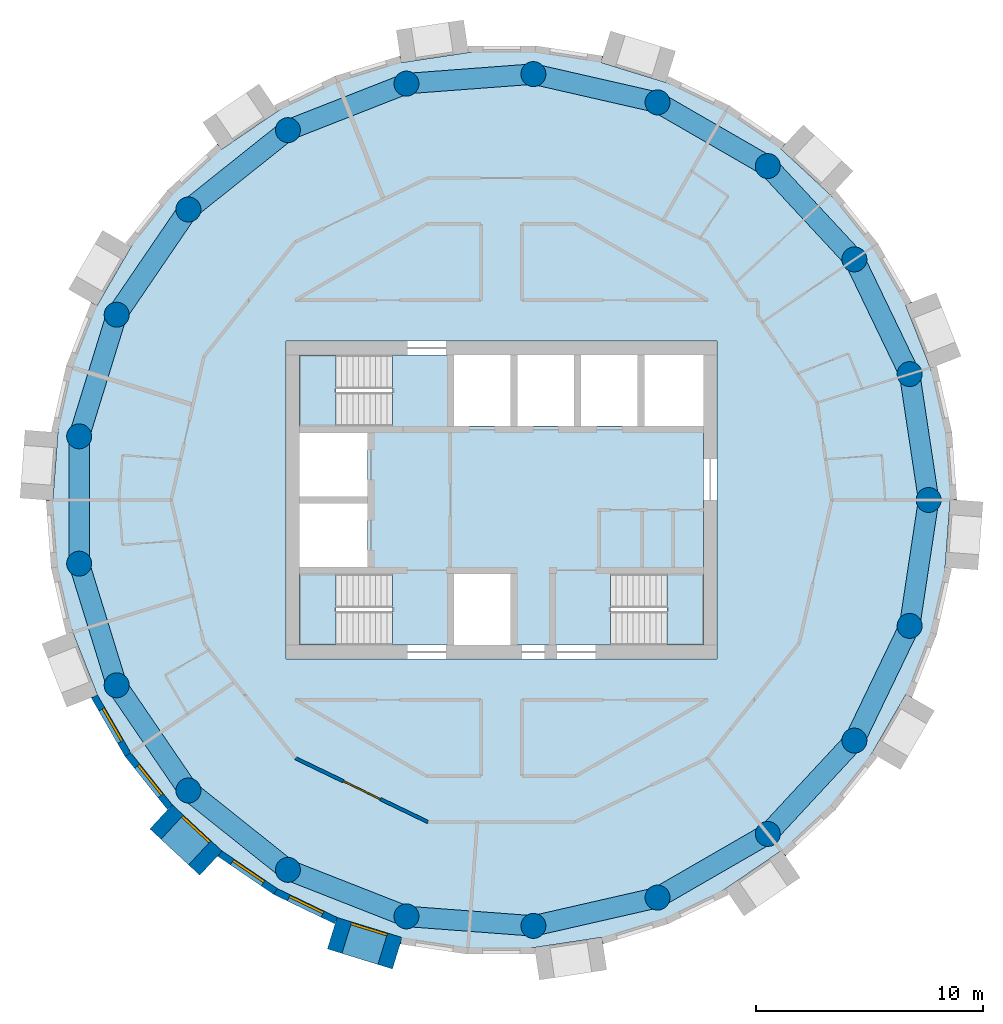
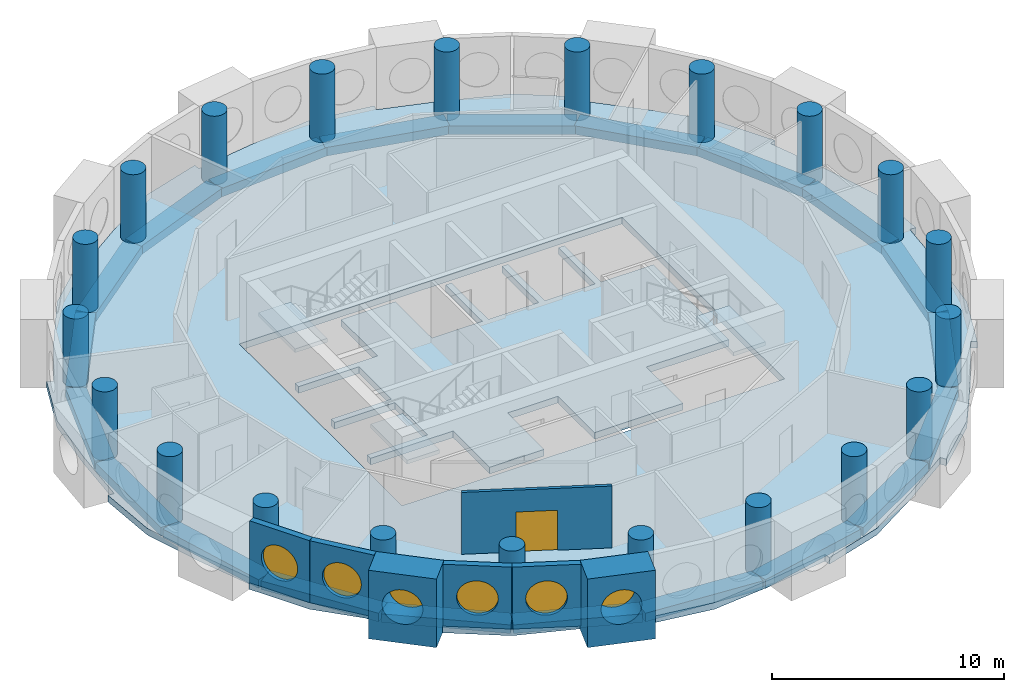
# One storey, part 1 of 11: 21 beams, 21 columns, 7 walls, 6 windows, 5 slabs, 1 door, 7 openings, 3 elements without a shape of their own.
"""IFC4 building model written with IfcOpenShell, lengths in metres."""

from ifc_helpers import new_model, si_unit, direction, frame, frame_2d, origin, origin_2d, place, context, subcontext, project, spatial, polyline, rectangle, circle, outline, extrude, material, layer, layer_set, material_profile, profile_set, type_object, element, fill, aggregate, save


model = new_model("IFC4")

# Units and contexts
model_context = context("Model", 3, precision=1e-05, world=origin(), true_north=direction((0.0, 1.0)))
body_context = subcontext(model_context, "Body", "Model", "MODEL_VIEW")
ifc_project = project(units=[si_unit("LENGTHUNIT", "METRE"), si_unit("AREAUNIT", "SQUARE_METRE"), si_unit("VOLUMEUNIT", "CUBIC_METRE"), si_unit("PLANEANGLEUNIT", "RADIAN"), si_unit("MASSUNIT", "GRAM", prefix="KILO")], contexts=[model_context])

# Site, building, storey
site_placement = place(None, origin())
site = spatial("IfcSite", under=ifc_project, at=site_placement, CompositionType="ELEMENT")
building_placement = place(site_placement, origin())
building = spatial("IfcBuilding", under=site, at=building_placement, Name="Tracery Tower", CompositionType="ELEMENT")
storey_placement = place(building_placement, frame((0.0, 0.0, 238.199951171875)))
storey = spatial("IfcBuildingStorey", under=building, at=storey_placement, Name="L61", CompositionType="ELEMENT", Elevation=238.199951171875)

# Columns
ifc_material_1 = material(Name="Concrete C40/50", Category="concrete")
ifc_material_profile_1 = material_profile(ifc_material_1, circle(Radius=0.550048828125, at=origin_2d()), Name="RC D1100")
ifc_profile_set_1 = profile_set([ifc_material_profile_1], Name="Concrete C40/50")
column_type = type_object("IfcColumnType", Name="Ring 2 column 1100", PredefinedType="COLUMN", material=ifc_profile_set_1)
for number, where, z_axis, x_axis, name in (
    (1, (18.822265625, 0.0, 0.0), (0.0, 0.0, 1.0), (1.0, 0.0, 0.0), "Ring 2 column 00 at L61"),
    (2, (17.986083984375, 5.5478515625, 0.0), (0.0, 0.0, 1.0), (1.0, 0.0, 0.0), "Ring 2 column 01 at L61"),
    (3, (15.551513671875, 10.602783203125, 0.0), (0.0, 0.0, 1.0), (1.0, 0.0, 0.0), "Ring 2 column 02 at L61"),
    (4, (11.7353515625, 14.7158203125, 0.0), (0.0, 0.0, 1.0), (1.0, 0.0, 0.0), "Ring 2 column 03 at L61"),
    (5, (6.87646484375, 17.52099609375, 0.0), (0.0, 0.0, 1.0), (1.0, 0.0, 0.0), "Ring 2 column 04 at L61"),
    (6, (1.406494140625, 18.76953125, 0.0), (0.0, 0.0, 1.0), (1.0, 0.0, 0.0), "Ring 2 column 05 at L61"),
    (7, (-4.188232421875, 18.350341796875, 0.0), (0.0, 0.0, 1.0), (1.0, 0.0, 0.0), "Ring 2 column 06 at L61"),
    (8, (-9.4111328125, 16.300537109375, 0.0), (0.0, 0.0, 1.0), (1.0, 0.0, 0.0), "Ring 2 column 07 at L61"),
    (9, (-13.797607421875, 12.802490234375, 0.0), (0.0, 0.0, 1.0), (1.0, 0.0, 0.0), "Ring 2 column 08 at L61"),
    (10, (-16.958251953125, 8.16650390625, 0.0), (0.0, 0.0, 1.0), (1.0, 0.0, 0.0), "Ring 2 column 09 at L61"),
    (11, (-18.612060546875, 2.805419921875, 0.0), (0.0, 0.0, 1.0), (1.0, 0.0, 0.0), "Ring 2 column 10 at L61"),
    (12, (-18.612060546875, -2.805419921875, 0.0), (0.0, 0.0, 1.0), (1.0, 0.0, 0.0), "Ring 2 column 11 at L61"),
    (13, (-16.958251953125, -8.166748046875, 0.0), (0.0, 0.0, 1.0), (1.0, 0.0, 0.0), "Ring 2 column 12 at L61"),
    (14, (-13.797607421875, -12.80224609375, 0.0), (0.0, 0.0, 1.0), (1.0, 0.0, 0.0), "Ring 2 column 13 at L61"),
    (15, (-9.4111328125, -16.300537109375, 0.0), (0.0, 0.0, 1.0), (1.0, 0.0, 0.0), "Ring 2 column 14 at L61"),
    (16, (-4.188232421875, -18.350341796875, 0.0), (0.0, 0.0, 1.0), (1.0, 0.0, 0.0), "Ring 2 column 15 at L61"),
    (17, (1.406494140625, -18.76953125, 0.0), (0.0, 0.0, 1.0), (1.0, 0.0, 0.0), "Ring 2 column 16 at L61"),
    (18, (6.87646484375, -17.52099609375, 0.0), (0.0, 0.0, 1.0), (1.0, 0.0, 0.0), "Ring 2 column 17 at L61"),
    (19, (11.7353515625, -14.7158203125, 0.0), (0.0, 0.0, 1.0), (1.0, 0.0, 0.0), "Ring 2 column 18 at L61"),
    (20, (15.551513671875, -10.602783203125, 0.0), (0.0, 0.0, 1.0), (1.0, 0.0, 0.0), "Ring 2 column 19 at L61"),
    (21, (17.986083984375, -5.5478515625, 0.0), (0.0, 0.0, 1.0), (1.0, 0.0, 0.0), "Ring 2 column 20 at L61"),
):
    element("IfcColumn", number, at=place(storey_placement, frame(where, z_axis=z_axis, x_axis=x_axis)), inside=storey, type_object=column_type, Name=name, PredefinedType="COLUMN", context=body_context, shape_type="SweptSolid", body=[
        extrude(circle(Radius=0.550048828125, at=origin_2d()), origin(), (0.0, 0.0, 1.0), 3.60009765625),
    ])

# Beams
ifc_material_2 = material(Name="Concrete C40/50", Category="concrete")
ifc_material_profile_2 = material_profile(ifc_material_2, rectangle(XDim=0.89990234375, YDim=0.449951171875, at=origin_2d()), Name="RC 900x450")
ifc_profile_set_2 = profile_set([ifc_material_profile_2], Name="Concrete C40/50")
beam_type = type_object("IfcBeamType", Name="Perimeter band beam 900x450", PredefinedType="BEAM", material=ifc_profile_set_2)
for number, where, z_axis, x_axis, name in (
    (22, (18.822265625, 0.0, -0.574951171875), (-0.149038355855, 0.988831415603, 0.0), (-0.988831415603, -0.149038355855, 0.0), "Perimeter beam 2.00 under L61"),
    (23, (17.986083984375, 5.5478515625, -0.574951171875), (-0.433918973155, 0.900951899235, 0.0), (-0.900951899235, -0.433918973155, 0.0), "Perimeter beam 2.01 under L61"),
):
    element("IfcBeam", number, at=place(storey_placement, frame(where, z_axis=z_axis, x_axis=x_axis)), inside=storey, type_object=beam_type, Name=name, PredefinedType="BEAM", context=body_context, shape_type="SweptSolid", body=[
        extrude(rectangle(XDim=0.89990234375, YDim=0.449951171875, at=origin_2d()), origin(), (0.0, 0.0, 1.0), 5.610595703125),
    ])
beam_1_placement = place(storey_placement, frame((15.551513671875, 10.602783203125, -0.574951171875), z_axis=(-0.680155630824, 0.733067744386, 0.0), x_axis=(-0.733067744386, -0.680155630824, 0.0)))
element("IfcBeam", 24, at=beam_1_placement, inside=storey, type_object=beam_type, Name="Perimeter beam 2.02 under L61", PredefinedType="BEAM", context=body_context, shape_type="SweptSolid", body=[
    extrude(rectangle(XDim=0.89990234375, YDim=0.449951171875, at=origin_2d()), origin(), (0.0, 0.0, 1.0), 5.61083984375),
])
for number, where, z_axis, x_axis, name in (
    (25, (11.7353515625, 14.7158203125, -0.574951171875), (-0.866033412818, 0.49998612769, 0.0), (-0.49998612769, -0.866033412818, 0.0), "Perimeter beam 2.03 under L61"),
    (26, (6.87646484375, 17.52099609375, -0.574951171875), (-0.974925977366, 0.222529410768, 0.0), (-0.222529410768, -0.974925977366, 0.0), "Perimeter beam 2.04 under L61"),
):
    element("IfcBeam", number, at=place(storey_placement, frame(where, z_axis=z_axis, x_axis=x_axis)), inside=storey, type_object=beam_type, Name=name, PredefinedType="BEAM", context=body_context, shape_type="SweptSolid", body=[
        extrude(rectangle(XDim=0.89990234375, YDim=0.449951171875, at=origin_2d()), origin(), (0.0, 0.0, 1.0), 5.610595703125),
    ])
beam_2_placement = place(storey_placement, frame((1.406494140625, 18.76953125, -0.574951171875), z_axis=(-0.997204824387, -0.07471638521, 0.0), x_axis=(0.07471638521, -0.997204824387, 0.0)))
element("IfcBeam", 27, at=beam_2_placement, inside=storey, type_object=beam_type, Name="Perimeter beam 2.05 under L61", PredefinedType="BEAM", context=body_context, shape_type="SweptSolid", body=[
    extrude(rectangle(XDim=0.89990234375, YDim=0.449951171875, at=origin_2d()), origin(), (0.0, 0.0, 1.0), 5.6103515625),
])
beam_3_placement = place(storey_placement, frame((-4.188232421875, 18.350341796875, -0.574951171875), z_axis=(-0.930875728468, -0.365335979817, 0.0), x_axis=(0.365335979817, -0.930875728468, 0.0)))
element("IfcBeam", 28, at=beam_3_placement, inside=storey, type_object=beam_type, Name="Perimeter beam 2.06 under L61", PredefinedType="BEAM", context=body_context, shape_type="SweptSolid", body=[
    extrude(rectangle(XDim=0.89990234375, YDim=0.449951171875, at=origin_2d()), origin(), (0.0, 0.0, 1.0), 5.61083984375),
])
beam_4_placement = place(storey_placement, frame((-9.4111328125, 16.300537109375, -0.574951171875), z_axis=(-0.781835817725, -0.623484365579, 0.0), x_axis=(0.623484365579, -0.781835817725, 0.0)))
element("IfcBeam", 29, at=beam_4_placement, inside=storey, type_object=beam_type, Name="Perimeter beam 2.07 under L61", PredefinedType="BEAM", context=body_context, shape_type="SweptSolid", body=[
    extrude(rectangle(XDim=0.89990234375, YDim=0.449951171875, at=origin_2d()), origin(), (0.0, 0.0, 1.0), 5.610595703125),
])
beam_5_placement = place(storey_placement, frame((-13.797607421875, 12.802490234375, -0.574951171875), z_axis=(-0.563305770578, -0.826248515178, 0.0), x_axis=(0.826248515178, -0.563305770578, 0.0)))
element("IfcBeam", 30, at=beam_5_placement, inside=storey, type_object=beam_type, Name="Perimeter beam 2.08 under L61", PredefinedType="BEAM", context=body_context, shape_type="SweptSolid", body=[
    extrude(rectangle(XDim=0.89990234375, YDim=0.449951171875, at=origin_2d()), origin(), (0.0, 0.0, 1.0), 5.61083984375),
])
beam_6_placement = place(storey_placement, frame((-16.958251953125, 8.16650390625, -0.574951171875), z_axis=(-0.294776851839, -0.955566118916, 0.0), x_axis=(0.955566118916, -0.294776851839, 0.0)))
element("IfcBeam", 31, at=beam_6_placement, inside=storey, type_object=beam_type, Name="Perimeter beam 2.09 under L61", PredefinedType="BEAM", context=body_context, shape_type="SweptSolid", body=[
    extrude(rectangle(XDim=0.89990234375, YDim=0.449951171875, at=origin_2d()), origin(), (0.0, 0.0, 1.0), 5.6103515625),
])
beam_7_placement = place(storey_placement, frame((-18.612060546875, 2.805419921875, -0.574951171875), z_axis=(0.0, -1.0, 0.0), x_axis=(1.0, 0.0, 0.0)))
element("IfcBeam", 32, at=beam_7_placement, inside=storey, type_object=beam_type, Name="Perimeter beam 2.10 under L61", PredefinedType="BEAM", context=body_context, shape_type="SweptSolid", body=[
    extrude(rectangle(XDim=0.89990234375, YDim=0.449951171875, at=origin_2d()), origin(), (0.0, 0.0, 1.0), 5.61083984375),
])
for number, where, z_axis, x_axis, name in (
    (33, (-18.612060546875, -2.805419921875, -0.574951171875), (0.294764594813, -0.955569899926, 0.0), (0.955569899926, 0.294764594813, 0.0), "Perimeter beam 2.11 under L61"),
    (34, (-16.958251953125, -8.166748046875, -0.574951171875), (0.5633462764, -0.826220898348, 0.0), (0.826220898348, 0.5633462764, 0.0), "Perimeter beam 2.12 under L61"),
    (35, (-13.797607421875, -12.80224609375, -0.574951171875), (0.781814605872, -0.623510963853, 0.0), (0.623510963853, 0.781814605872, 0.0), "Perimeter beam 2.13 under L61"),
):
    element("IfcBeam", number, at=place(storey_placement, frame(where, z_axis=z_axis, x_axis=x_axis)), inside=storey, type_object=beam_type, Name=name, PredefinedType="BEAM", context=body_context, shape_type="SweptSolid", body=[
        extrude(rectangle(XDim=0.89990234375, YDim=0.449951171875, at=origin_2d()), origin(), (0.0, 0.0, 1.0), 5.610595703125),
    ])
beam_8_placement = place(storey_placement, frame((-9.4111328125, -16.300537109375, -0.574951171875), z_axis=(0.930875728468, -0.365335979817, 0.0), x_axis=(0.365335979817, 0.930875728468, 0.0)))
element("IfcBeam", 36, at=beam_8_placement, inside=storey, type_object=beam_type, Name="Perimeter beam 2.14 under L61", PredefinedType="BEAM", context=body_context, shape_type="SweptSolid", body=[
    extrude(rectangle(XDim=0.89990234375, YDim=0.449951171875, at=origin_2d()), origin(), (0.0, 0.0, 1.0), 5.61083984375),
])
beam_9_placement = place(storey_placement, frame((-4.188232421875, -18.350341796875, -0.574951171875), z_axis=(0.997204824387, -0.07471638521, 0.0), x_axis=(0.07471638521, 0.997204824387, 0.0)))
element("IfcBeam", 37, at=beam_9_placement, inside=storey, type_object=beam_type, Name="Perimeter beam 2.15 under L61", PredefinedType="BEAM", context=body_context, shape_type="SweptSolid", body=[
    extrude(rectangle(XDim=0.89990234375, YDim=0.449951171875, at=origin_2d()), origin(), (0.0, 0.0, 1.0), 5.6103515625),
])
for number, where, z_axis, x_axis, name in (
    (38, (1.406494140625, -18.76953125, -0.574951171875), (0.974925977366, 0.222529410768, 0.0), (-0.222529410768, 0.974925977366, 0.0), "Perimeter beam 2.16 under L61"),
    (39, (6.87646484375, -17.52099609375, -0.574951171875), (0.866033412818, 0.49998612769, 0.0), (-0.49998612769, 0.866033412818, 0.0), "Perimeter beam 2.17 under L61"),
):
    element("IfcBeam", number, at=place(storey_placement, frame(where, z_axis=z_axis, x_axis=x_axis)), inside=storey, type_object=beam_type, Name=name, PredefinedType="BEAM", context=body_context, shape_type="SweptSolid", body=[
        extrude(rectangle(XDim=0.89990234375, YDim=0.449951171875, at=origin_2d()), origin(), (0.0, 0.0, 1.0), 5.610595703125),
    ])
beam_10_placement = place(storey_placement, frame((11.7353515625, -14.7158203125, -0.574951171875), z_axis=(0.680155630824, 0.733067744386, 0.0), x_axis=(-0.733067744386, 0.680155630824, 0.0)))
element("IfcBeam", 40, at=beam_10_placement, inside=storey, type_object=beam_type, Name="Perimeter beam 2.18 under L61", PredefinedType="BEAM", context=body_context, shape_type="SweptSolid", body=[
    extrude(rectangle(XDim=0.89990234375, YDim=0.449951171875, at=origin_2d()), origin(), (0.0, 0.0, 1.0), 5.61083984375),
])
for number, where, z_axis, x_axis, name in (
    (41, (15.551513671875, -10.602783203125, -0.574951171875), (0.433918973155, 0.900951899235, 0.0), (-0.900951899235, 0.433918973155, 0.0), "Perimeter beam 2.19 under L61"),
    (42, (17.986083984375, -5.5478515625, -0.574951171875), (0.149038355855, 0.988831415603, 0.0), (-0.988831415603, 0.149038355855, 0.0), "Perimeter beam 2.20 under L61"),
):
    element("IfcBeam", number, at=place(storey_placement, frame(where, z_axis=z_axis, x_axis=x_axis)), inside=storey, type_object=beam_type, Name=name, PredefinedType="BEAM", context=body_context, shape_type="SweptSolid", body=[
        extrude(rectangle(XDim=0.89990234375, YDim=0.449951171875, at=origin_2d()), origin(), (0.0, 0.0, 1.0), 5.610595703125),
    ])

# Slabs
ifc_material_3 = material(Name="Concrete C40/50", Category="concrete")
ifc_layer_1 = layer(ifc_material_3, 0.35009765625)
ifc_layer_set_1 = layer_set([ifc_layer_1], Name="Core floor slab 350 C40")
slab_type_1 = type_object("IfcSlabType", Name="Core floor slab 350 C40", PredefinedType="FLOOR", material=ifc_layer_set_1)
slab_1_placement = place(storey_placement, frame((0.0, 0.0, -0.349853515625)))
element("IfcSlab", 43, at=slab_1_placement, inside=storey, type_object=slab_type_1, Name="L61 core floor 1", PredefinedType="FLOOR", context=body_context, shape_type="SweptSolid", body=[
    extrude(outline(polyline([(-4.800537109375, -3.25), (-8.89990234375, -3.25), (-8.89990234375, -2.949951171875), (-5.89990234375, -2.949951171875), (-5.89990234375, -0.14990234375), (-8.89990234375, -0.14990234375), (-8.89990234375, 0.14990234375), (-5.89990234375, 0.14990234375), (-5.89990234375, 2.949951171875), (-8.89990234375, 2.949951171875), (-8.89990234375, 3.25), (-4.800537109375, 3.25), (-4.800537109375, 6.39990234375), (-2.10009765625, 6.39990234375), (-2.10009765625, 3.25), (0.39990234375, 3.25), (0.39990234375, 6.39990234375), (0.699951171875, 6.39990234375), (0.699951171875, 3.25), (3.199951171875, 3.25), (3.199951171875, 6.39990234375), (3.5, 6.39990234375), (3.5, 3.25), (6.0, 3.25), (6.0, 6.39990234375), (6.300048828125, 6.39990234375), (6.300048828125, 3.25), (8.89990234375, 3.25), (8.89990234375, -3.25), (4.800537109375, -3.25), (4.800537109375, -6.39990234375), (0.39990234375, -6.39990234375), (0.39990234375, -3.25), (-2.10009765625, -3.25), (-2.10009765625, -6.39990234375), (-4.800537109375, -6.39990234375), (-4.800537109375, -3.25)])), origin(), (0.0, 0.0, 1.0), 0.349853515625),
])
ifc_material_4 = material(Name="Concrete C40/50", Category="concrete")
ifc_layer_2 = layer(ifc_material_4, 0.35009765625)
ifc_layer_set_2 = layer_set([ifc_layer_2], Name="Floor slab 350")
slab_type_2 = type_object("IfcSlabType", Name="Floor slab 350", PredefinedType="FLOOR", material=ifc_layer_set_2)
slab_2_placement = place(storey_placement, frame((0.0, 0.0, -0.349853515625)))
element("IfcSlab", 44, at=slab_2_placement, inside=storey, type_object=slab_type_2, Name="Floor slab L61", PredefinedType="FLOOR", context=body_context, shape_type="SweptSolid", body=[
    extrude(outline(polyline([(18.89306640625, 5.827392578125), (17.80517578125, 8.599365234375), (18.084228515625, 8.708984375), (18.08447265625, 8.708984375), (16.58447265625, 11.30712890625), (14.493408203125, 13.447998046875), (12.3271484375, 15.4580078125), (12.3271484375, 15.4580078125), (12.310791015625, 15.47314453125), (12.5146484375, 15.69287109375), (12.514892578125, 15.693115234375), (10.0361328125, 17.383056640625), (7.223388671875, 18.404541015625), (4.3994140625, 19.275634765625), (4.3994140625, 19.275634765625), (4.378173828125, 19.2822265625), (4.466552734375, 19.56884765625), (1.5, 20.01611328125), (-1.47705078125, 19.716064453125), (-2.3466796875, 19.585205078125), (-4.3994140625, 19.275634765625), (-4.3994140625, 19.275634765625), (-4.421875, 19.272216796875), (-4.46630859375, 19.568603515625), (-4.466552734375, 19.56884765625), (-7.333251953125, 18.684814453125), (-9.885498046875, 17.12255859375), (-12.345703125, 15.4453125), (-12.514892578125, 15.693115234375), (-14.714111328125, 13.652587890625), (-16.335693359375, 11.13818359375), (-17.82470703125, 8.55908203125), (-18.08447265625, 8.708984375), (-19.180419921875, 5.91650390625), (-19.550537109375, 2.94677734375), (-19.63720703125, 1.789306640625), (-19.77294921875, -0.0224609375), (-20.072265625, 0.0), (-20.072265625, 0.0), (-19.847900390625, -2.99169921875), (-18.89306640625, -5.827392578125), (-17.80517578125, -8.599365234375), (-18.084228515625, -8.708984375), (-18.08447265625, -8.708984375), (-16.58447265625, -11.30712890625), (-14.493408203125, -13.447998046875), (-12.3271484375, -15.4580078125), (-12.3271484375, -15.4580078125), (-12.310791015625, -15.47314453125), (-12.5146484375, -15.69287109375), (-12.514892578125, -15.693115234375), (-10.0361328125, -17.383056640625), (-7.223388671875, -18.404541015625), (-4.3994140625, -19.275634765625), (-4.3994140625, -19.275634765625), (-4.378173828125, -19.2822265625), (-4.466552734375, -19.56884765625), (-1.5, -20.01611328125), (1.47705078125, -19.716064453125), (2.3466796875, -19.585205078125), (4.3994140625, -19.275634765625), (4.3994140625, -19.275634765625), (4.421875, -19.272216796875), (4.46630859375, -19.568603515625), (4.466552734375, -19.56884765625), (7.333251953125, -18.684814453125), (9.885498046875, -17.12255859375), (12.345703125, -15.4453125), (12.514892578125, -15.693115234375), (14.714111328125, -13.652587890625), (16.335693359375, -11.13818359375), (17.82470703125, -8.55908203125), (18.08447265625, -8.708984375), (19.180419921875, -5.91650390625), (19.550537109375, -2.94677734375), (19.63720703125, -1.789306640625), (19.77294921875, 0.0224609375), (20.072265625, 0.0), (19.847900390625, 2.99169921875), (18.89306640625, 5.827392578125)]), holes=[polyline([(-9.5, -7.0), (9.5, -7.0), (9.5, 7.0), (-9.5, 7.0), (-9.5, -7.0)])]), origin(), (0.0, 0.0, 1.0), 0.349853515625),
])

# Stair, slab
ifc_material_5 = material(Name="Concrete C32/40", Category="concrete")
stair_type = type_object("IfcStairType", Name="Core stair 22 risers", PredefinedType="HALF_TURN_STAIR", material=ifc_material_5)
stair_1_placement = place(storey_placement, origin())
stair_1 = element("IfcStair", 45, at=stair_1_placement, inside=storey, type_object=stair_type, Name="L61 stair ST1", PredefinedType="HALF_TURN_STAIR")
ifc_material_6 = material(Name="Concrete C32/40", Category="concrete")
ifc_layer_3 = layer(ifc_material_6, 0.199951171875)
ifc_layer_set_3 = layer_set([ifc_layer_3], Name="Stair landing slab 200")
slab_type_3 = type_object("IfcSlabType", Name="Stair landing slab 200", PredefinedType="LANDING", material=ifc_layer_set_3)
slab_3_placement = place(storey_placement, frame((0.0, 0.0, 1.60009765625)))
slab_3 = element("IfcSlab", 46, at=slab_3_placement, type_object=slab_type_3, Name="ST1 landing 1", PredefinedType="LANDING", context=body_context, shape_type="SweptSolid", body=[
    extrude(outline(polyline([(-7.29931640625, -3.25), (-8.89990234375, -3.25), (-8.89990234375, -6.39990234375), (-7.29931640625, -6.39990234375), (-7.29931640625, -3.25)])), origin(), (0.0, 0.0, 1.0), 0.199951171875),
])
aggregate(stair_1, [slab_3])

stair_2_placement = place(storey_placement, origin())
stair_2 = element("IfcStair", 47, at=stair_2_placement, inside=storey, type_object=stair_type, Name="L61 stair ST3", PredefinedType="HALF_TURN_STAIR")
slab_4_placement = place(storey_placement, frame((0.0, 0.0, 1.60009765625)))
slab_4 = element("IfcSlab", 48, at=slab_4_placement, type_object=slab_type_3, Name="ST3 landing 1", PredefinedType="LANDING", context=body_context, shape_type="SweptSolid", body=[
    extrude(outline(polyline([(-7.29931640625, 6.39990234375), (-8.89990234375, 6.39990234375), (-8.89990234375, 3.25), (-7.29931640625, 3.25), (-7.29931640625, 6.39990234375)])), origin(), (0.0, 0.0, 1.0), 0.199951171875),
])
aggregate(stair_2, [slab_4])

stair_3_placement = place(storey_placement, origin())
stair_3 = element("IfcStair", 49, at=stair_3_placement, inside=storey, type_object=stair_type, Name="L61 stair ST2", PredefinedType="HALF_TURN_STAIR")
slab_5_placement = place(storey_placement, frame((0.0, 0.0, 1.60009765625)))
slab_5 = element("IfcSlab", 50, at=slab_5_placement, type_object=slab_type_3, Name="ST2 landing 1", PredefinedType="LANDING", context=body_context, shape_type="SweptSolid", body=[
    extrude(outline(polyline([(7.29931640625, -6.39990234375), (8.89990234375, -6.39990234375), (8.89990234375, -3.25), (7.29931640625, -3.25), (7.29931640625, -6.39990234375)])), origin(), (0.0, 0.0, 1.0), 0.199951171875),
])
aggregate(stair_3, [slab_5])

# Wall, opening, window
ifc_material_7 = material(Name="Precast concrete C50/60", Category="concrete")
ifc_layer_4 = layer(ifc_material_7, 1.449951171875)
ifc_layer_set_4 = layer_set([ifc_layer_4], Name="Deep-set bay unit 3000 x 3600, slab edge 350")
wall_type_1 = type_object("IfcWallType", Name="Deep-set bay unit 3000 x 3600, slab edge 350", PredefinedType="ELEMENTEDWALL", material=ifc_layer_set_4)
wall_1_placement = place(storey_placement, frame((-15.0029296875, -13.964111328125, -0.349853515625), z_axis=(0.0, 0.0, 1.0), x_axis=(0.733022439167, -0.680204457261, 0.0)))
wall_1 = element("IfcWall", 51, at=wall_1_placement, inside=storey, type_object=wall_type_1, Name="Deep-set bay unit 27 at L61", PredefinedType="ELEMENTEDWALL", context=body_context, shape_type="SweptSolid", body=[
    extrude(rectangle(XDim=2.999755859375, YDim=1.449951171875, at=frame_2d((1.5, 0.0))), origin(), (0.0, 0.0, 1.0), 3.599853515625),
])
opening_1_placement = place(wall_1_placement, frame((1.5, 0.0, 1.89990234375)))
opening_1 = element("IfcOpeningElement", 52, at=opening_1_placement, cuts=wall_1, Name="Opening WN1", PredefinedType="OPENING", context=body_context, shape_type="SweptSolid", body=[
    extrude(circle(Radius=0.9000244140625, at=origin_2d()), frame((0.0, 0.73486328125, 0.0), z_axis=(0.0, -1.0, 0.0), x_axis=(1.0, 0.0, 0.0)), (0.0, 0.0, 1.0), 1.469970703125),
])
ifc_material_8 = material(Name="Aluminium frame with tinted double glazing", Category="aluminium")
window_type = type_object("IfcWindowType", Name="Round window 1800", PartitioningType="SINGLE_PANEL", PredefinedType="WINDOW", material=ifc_material_8)
window_1_placement = place(opening_1_placement, origin())
window_1 = element("IfcWindow", 53, at=window_1_placement, inside=storey, type_object=window_type, Name="Round window 27 at L61", OverallHeight=1.800048828125, OverallWidth=1.800048828125, PartitioningType="SINGLE_PANEL", PredefinedType="WINDOW", context=body_context, shape_type="SweptSolid", body=[
    extrude(circle(Radius=0.9000244140625, at=origin_2d()), frame((0.0, 0.69482421875, 0.0), z_axis=(0.0, -1.0, 0.0), x_axis=(1.0, 0.0, 0.0)), (0.0, 0.0, 1.0), 0.10009765625),
])
fill(opening_1, window_1)

wall_2_placement = place(storey_placement, frame((-7.45849609375, -19.0908203125, -0.349853515625), z_axis=(0.0, 0.0, 1.0), x_axis=(0.955571139978, -0.294760574774, 0.0)))
wall_2 = element("IfcWall", 54, at=wall_2_placement, inside=storey, type_object=wall_type_1, Name="Deep-set bay unit 30 at L61", PredefinedType="ELEMENTEDWALL", context=body_context, shape_type="SweptSolid", body=[
    extrude(rectangle(XDim=3.0, YDim=1.449951171875, at=frame_2d((1.5, 0.0))), origin(), (0.0, 0.0, 1.0), 3.599853515625),
])
opening_2_placement = place(wall_2_placement, frame((1.5, 0.0, 1.89990234375)))
opening_2 = element("IfcOpeningElement", 55, at=opening_2_placement, cuts=wall_2, Name="Opening WN1", PredefinedType="OPENING", context=body_context, shape_type="SweptSolid", body=[
    extrude(circle(Radius=0.9000244140625, at=origin_2d()), frame((0.0, 0.73486328125, 0.0), z_axis=(0.0, -1.0, 0.0), x_axis=(1.0, 0.0, 0.0)), (0.0, 0.0, 1.0), 1.469970703125),
])
window_2_placement = place(opening_2_placement, origin())
window_2 = element("IfcWindow", 56, at=window_2_placement, inside=storey, type_object=window_type, Name="Round window 30 at L61", OverallHeight=1.800048828125, OverallWidth=1.800048828125, PartitioningType="SINGLE_PANEL", PredefinedType="WINDOW", context=body_context, shape_type="SweptSolid", body=[
    extrude(circle(Radius=0.9000244140625, at=origin_2d()), frame((0.0, 0.69482421875, 0.0), z_axis=(0.0, -1.0, 0.0), x_axis=(1.0, 0.0, 0.0)), (0.0, 0.0, 1.0), 0.10009765625),
])
fill(opening_2, window_2)

ifc_material_9 = material(Name="Precast concrete C50/60", Category="concrete")
ifc_layer_5 = layer(ifc_material_9, 0.300048828125)
ifc_layer_set_5 = layer_set([ifc_layer_5], Name="Facade panel 3000 x 3250")
wall_type_2 = type_object("IfcWallType", Name="Facade panel 3000 x 3250", PredefinedType="SOLIDWALL", material=ifc_layer_set_5)
wall_3_placement = place(storey_placement, frame((-17.941162109375, -8.656982421875, 0.0), z_axis=(0.0, 0.0, 1.0), x_axis=(0.499950756475, -0.86605383268, 0.0)))
wall_3 = element("IfcWall", 57, at=wall_3_placement, inside=storey, type_object=wall_type_2, Name="Facade panel 25 at L61", PredefinedType="SOLIDWALL", context=body_context, shape_type="SweptSolid", body=[
    extrude(rectangle(XDim=2.962158203125, YDim=0.300048828125, at=frame_2d((1.48095703125, 0.0))), origin(), (0.0, 0.0, 1.0), 3.25),
])
opening_3_placement = place(wall_3_placement, frame((1.48095703125, 0.0, 1.5498046875)))
opening_3 = element("IfcOpeningElement", 58, at=opening_3_placement, cuts=wall_3, Name="Opening WN1", PredefinedType="OPENING", context=body_context, shape_type="SweptSolid", body=[
    extrude(circle(Radius=0.9000244140625, at=origin_2d()), frame((0.0, 0.159912109375, 0.0), z_axis=(0.0, -1.0, 0.0), x_axis=(1.0, 0.0, 0.0)), (0.0, 0.0, 1.0), 0.320068359375),
])
window_3_placement = place(opening_3_placement, origin())
window_3 = element("IfcWindow", 59, at=window_3_placement, inside=storey, type_object=window_type, Name="Round window 25 at L61", OverallHeight=1.800048828125, OverallWidth=1.800048828125, PartitioningType="SINGLE_PANEL", PredefinedType="WINDOW", context=body_context, shape_type="SweptSolid", body=[
    extrude(circle(Radius=0.9000244140625, at=origin_2d()), frame((0.0, 0.1201171875, 0.0), z_axis=(0.0, -1.0, 0.0), x_axis=(1.0, 0.0, 0.0)), (0.0, 0.0, 1.0), 0.10009765625),
])
fill(opening_3, window_3)

wall_4_placement = place(storey_placement, frame((-16.460205078125, -11.222412109375, 0.0), z_axis=(0.0, 0.0, 1.0), x_axis=(0.623498236992, -0.781824755599, 0.0)))
wall_4 = element("IfcWall", 60, at=wall_4_placement, inside=storey, type_object=wall_type_2, Name="Facade panel 26 at L61", PredefinedType="SOLIDWALL", context=body_context, shape_type="SweptSolid", body=[
    extrude(rectangle(XDim=2.962158203125, YDim=0.300048828125, at=frame_2d((1.48095703125, 0.0))), origin(), (0.0, 0.0, 1.0), 3.25),
])
opening_4_placement = place(wall_4_placement, frame((1.48095703125, 0.0, 1.5498046875)))
opening_4 = element("IfcOpeningElement", 61, at=opening_4_placement, cuts=wall_4, Name="Opening WN1", PredefinedType="OPENING", context=body_context, shape_type="SweptSolid", body=[
    extrude(circle(Radius=0.9000244140625, at=origin_2d()), frame((0.0, 0.159912109375, 0.0), z_axis=(0.0, -1.0, 0.0), x_axis=(1.0, 0.0, 0.0)), (0.0, 0.0, 1.0), 0.320068359375),
])
window_4_placement = place(opening_4_placement, origin())
window_4 = element("IfcWindow", 62, at=window_4_placement, inside=storey, type_object=window_type, Name="Round window 26 at L61", OverallHeight=1.800048828125, OverallWidth=1.800048828125, PartitioningType="SINGLE_PANEL", PredefinedType="WINDOW", context=body_context, shape_type="SweptSolid", body=[
    extrude(circle(Radius=0.9000244140625, at=origin_2d()), frame((0.0, 0.1201171875, 0.0), z_axis=(0.0, -1.0, 0.0), x_axis=(1.0, 0.0, 0.0)), (0.0, 0.0, 1.0), 0.10009765625),
])
fill(opening_4, window_4)

wall_5_placement = place(storey_placement, frame((-12.408447265625, -15.583984375, 0.0), z_axis=(0.0, 0.0, 1.0), x_axis=(0.826236061068, -0.563324037646, 0.0)))
wall_5 = element("IfcWall", 63, at=wall_5_placement, inside=storey, type_object=wall_type_2, Name="Facade panel 28 at L61", PredefinedType="SOLIDWALL", context=body_context, shape_type="SweptSolid", body=[
    extrude(rectangle(XDim=2.962158203125, YDim=0.300048828125, at=frame_2d((1.48095703125, 0.0))), origin(), (0.0, 0.0, 1.0), 3.25),
])
opening_5_placement = place(wall_5_placement, frame((1.48095703125, 0.0, 1.5498046875)))
opening_5 = element("IfcOpeningElement", 64, at=opening_5_placement, cuts=wall_5, Name="Opening WN1", PredefinedType="OPENING", context=body_context, shape_type="SweptSolid", body=[
    extrude(circle(Radius=0.9000244140625, at=origin_2d()), frame((0.0, 0.159912109375, 0.0), z_axis=(0.0, -1.0, 0.0), x_axis=(1.0, 0.0, 0.0)), (0.0, 0.0, 1.0), 0.320068359375),
])
window_5_placement = place(opening_5_placement, origin())
window_5 = element("IfcWindow", 65, at=window_5_placement, inside=storey, type_object=window_type, Name="Round window 28 at L61", OverallHeight=1.800048828125, OverallWidth=1.800048828125, PartitioningType="SINGLE_PANEL", PredefinedType="WINDOW", context=body_context, shape_type="SweptSolid", body=[
    extrude(circle(Radius=0.9000244140625, at=origin_2d()), frame((0.0, 0.1201171875, 0.0), z_axis=(0.0, -1.0, 0.0), x_axis=(1.0, 0.0, 0.0)), (0.0, 0.0, 1.0), 0.10009765625),
])
fill(opening_5, window_5)

wall_6_placement = place(storey_placement, frame((-9.9609375, -17.252685546875, 0.0), z_axis=(0.0, 0.0, 1.0), x_axis=(0.90095513435, -0.433912255978, 0.0)))
wall_6 = element("IfcWall", 66, at=wall_6_placement, inside=storey, type_object=wall_type_2, Name="Facade panel 29 at L61", PredefinedType="SOLIDWALL", context=body_context, shape_type="SweptSolid", body=[
    extrude(rectangle(XDim=2.96240234375, YDim=0.300048828125, at=frame_2d((1.481201171875, 0.0))), origin(), (0.0, 0.0, 1.0), 3.25),
])
opening_6_placement = place(wall_6_placement, frame((1.48095703125, 0.0, 1.5498046875)))
opening_6 = element("IfcOpeningElement", 67, at=opening_6_placement, cuts=wall_6, Name="Opening WN1", PredefinedType="OPENING", context=body_context, shape_type="SweptSolid", body=[
    extrude(circle(Radius=0.9000244140625, at=origin_2d()), frame((0.0, 0.159912109375, 0.0), z_axis=(0.0, -1.0, 0.0), x_axis=(1.0, 0.0, 0.0)), (0.0, 0.0, 1.0), 0.320068359375),
])
window_6_placement = place(opening_6_placement, origin())
window_6 = element("IfcWindow", 68, at=window_6_placement, inside=storey, type_object=window_type, Name="Round window 29 at L61", OverallHeight=1.800048828125, OverallWidth=1.800048828125, PartitioningType="SINGLE_PANEL", PredefinedType="WINDOW", context=body_context, shape_type="SweptSolid", body=[
    extrude(circle(Radius=0.9000244140625, at=origin_2d()), frame((0.0, 0.1201171875, 0.0), z_axis=(0.0, -1.0, 0.0), x_axis=(1.0, 0.0, 0.0)), (0.0, 0.0, 1.0), 0.10009765625),
])
fill(opening_6, window_6)

# Wall, opening, door
ifc_material_10 = material(Name="Plasterboard on steel studs", Category="steel")
ifc_layer_6 = layer(ifc_material_10, 0.14990234375)
ifc_layer_set_6 = layer_set([ifc_layer_6], Name="Partition 150 corridor wall")
wall_type_3 = type_object("IfcWallType", Name="Partition 150 corridor wall", PredefinedType="PARTITIONING", material=ifc_layer_set_6)
wall_7_placement = place(storey_placement, frame((-9.075927734375, -11.381103515625, 0.0), z_axis=(0.0, 0.0, 1.0), x_axis=(0.900976027191, -0.433868872388, 0.0)))
wall_7 = element("IfcWall", 69, at=wall_7_placement, inside=storey, type_object=wall_type_3, Name="Corridor wall RC1-043", PredefinedType="PARTITIONING", context=body_context, shape_type="SweptSolid", body=[
    extrude(rectangle(XDim=6.478515625, YDim=0.14990234375, at=frame_2d((3.2392578125, 0.0))), origin(), (0.0, 0.0, 1.0), 3.25),
])
opening_7_placement = place(wall_7_placement, frame((2.339599609375, 0.0, 0.0)))
opening_7 = element("IfcOpeningElement", 70, at=opening_7_placement, cuts=wall_7, Name="Opening RC1-20", PredefinedType="OPENING", context=body_context, shape_type="SweptSolid", body=[
    extrude(rectangle(XDim=1.800048828125, YDim=2.10009765625, at=frame_2d((0.89990234375, 1.050048828125))), frame((0.0, 0.074951171875, 0.0), z_axis=(0.0, -1.0, 0.0), x_axis=(1.0, 0.0, 0.0)), (0.0, 0.0, 1.0), 0.14990234375),
])
ifc_material_11 = material(Name="Timber door leaf", Category="wood")
door_type = type_object("IfcDoorType", Name="Door double lounge 1800", OperationType="NOTDEFINED", PredefinedType="DOOR", material=ifc_material_11)
door_placement = place(opening_7_placement, origin())
door = element("IfcDoor", 71, at=door_placement, inside=storey, type_object=door_type, Name="Double lounge door RC1-20", OperationType="DOUBLE_DOOR_SINGLE_SWING", OverallHeight=2.10009765625, OverallWidth=1.800048828125, PredefinedType="DOOR", context=body_context, shape_type="SweptSolid", body=[
    extrude(rectangle(XDim=1.800048828125, YDim=2.10009765625, at=frame_2d((0.89990234375, 1.050048828125))), frame((0.0, 0.02490234375, 0.0), z_axis=(0.0, -1.0, 0.0), x_axis=(1.0, 0.0, 0.0)), (0.0, 0.0, 1.0), 0.050048828125),
])
fill(opening_7, door)

save(model, "model.ifc")
